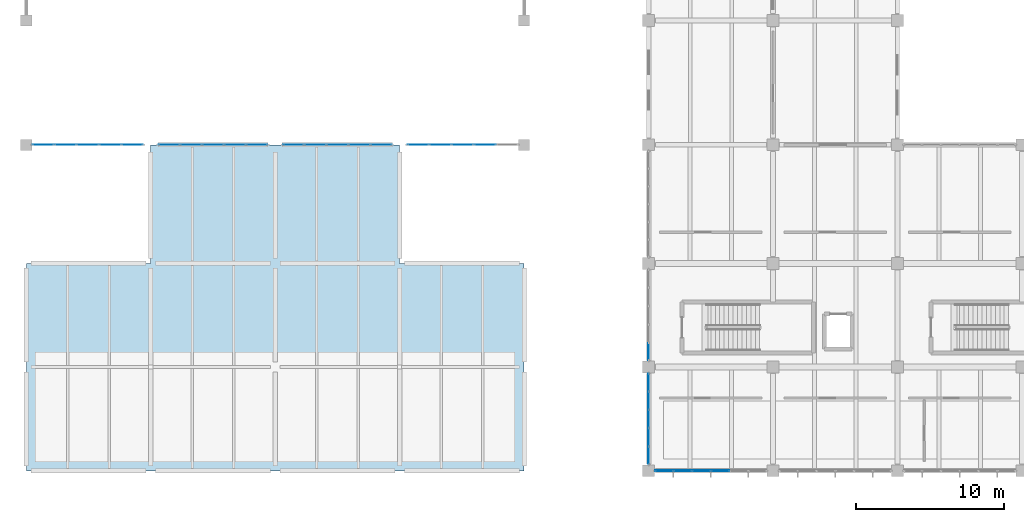
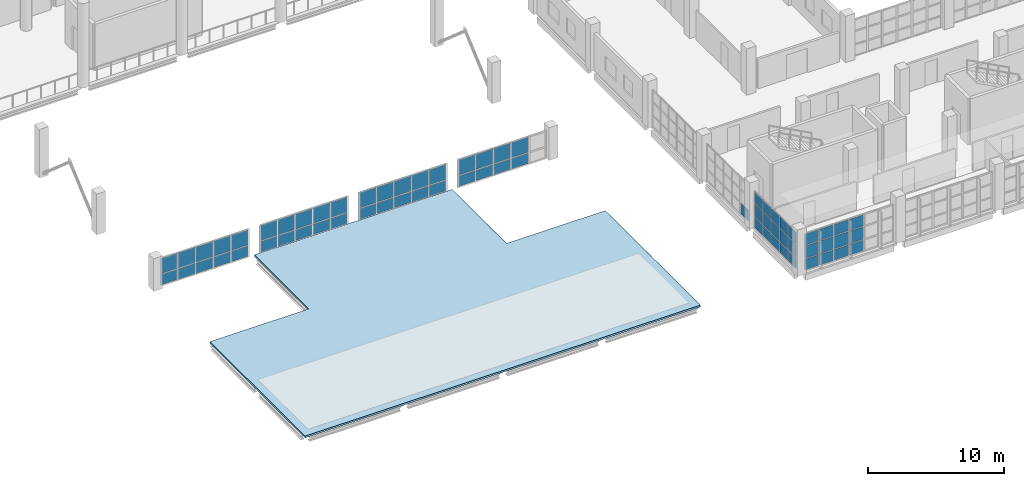
# One storey, part 120 of 177: 66 plates, 1 slab, 7 elements without a shape of their own.
"""IFC4 building model written with IfcOpenShell, lengths in metres."""

from ifc_helpers import new_model, si_unit, direction, frame, origin, origin_2d, place, context, subcontext, project, spatial, polyline, rectangle, outline, extrude, material, layer, layer_set, type_object, element, aggregate, save


model = new_model("IFC4")

# Units and contexts
model_context = context("Model", 3, precision=1e-05, world=origin(), true_north=direction((0.0, 1.0)))
body_context = subcontext(model_context, "Body", "Model", "MODEL_VIEW")
ifc_project = project(units=[si_unit("LENGTHUNIT", "METRE"), si_unit("AREAUNIT", "SQUARE_METRE"), si_unit("VOLUMEUNIT", "CUBIC_METRE"), si_unit("PLANEANGLEUNIT", "RADIAN"), si_unit("MASSUNIT", "GRAM", prefix="KILO"), si_unit("THERMODYNAMICTEMPERATUREUNIT", "KELVIN"), si_unit("POWERUNIT", "WATT")], contexts=[model_context])

# Site, building, storey
site_placement = place(None, origin())
site = spatial("IfcSite", under=ifc_project, at=site_placement, CompositionType="ELEMENT")
building_placement = place(site_placement, origin())
building = spatial("IfcBuilding", under=site, at=building_placement, Name="Mavoryth Pier Ferry Terminal", CompositionType="ELEMENT")
storey_placement = place(building_placement, frame((0.0, 0.0, 5.43994140625)))
storey = spatial("IfcBuildingStorey", under=building, at=storey_placement, Name="L01", CompositionType="ELEMENT", Elevation=5.43994140625)

# Curtain wall, plates
ifc_material_1 = material(Name="Anodised Aluminium and Solar-Control Low-E Glass", Category="aluminium")
ifc_layer_1 = layer(ifc_material_1, 0.179931640625, Name="Anodised Aluminium and Solar-Control Low-E Glass", Category="aluminium")
ifc_layer_set_1 = layer_set([ifc_layer_1], Name="Anodised Aluminium and Solar-Control Low-E Glass - CW-Concourse-Mod1400")
curtain_wall_type_1 = type_object("IfcCurtainWallType", Name="CW-Concourse-Mod1400", PredefinedType="USERDEFINED", material=ifc_layer_set_1)
curtain_wall_1_placement = place(storey_placement, origin())
curtain_wall_1 = element("IfcCurtainWall", 1, at=curtain_wall_1_placement, inside=storey, type_object=curtain_wall_type_1, Name="Curtain Wall CW-0133-038", ObjectType="UNITISED CURTAIN WALL", PredefinedType="USERDEFINED")
ifc_material_2 = material(Name="Solar-Control Low-E Laminated Double Glazing", Category="glass")
ifc_layer_2 = layer(ifc_material_2, 0.02392578125, Name="Solar-Control Low-E Laminated Double Glazing", Category="glass")
ifc_layer_set_2 = layer_set([ifc_layer_2], Name="Solar-Control Low-E Laminated Double Glazing - Panel-LowE-DGU-24")
plate_type_1 = type_object("IfcPlateType", Name="Panel-LowE-DGU-24", PredefinedType="CURTAIN_PANEL", material=ifc_layer_set_2)
plate_1_placement = place(storey_placement, frame((1.146240234375, 22.0, 0.06494140625), z_axis=(0.0, 0.0, 1.0), x_axis=(1.0, 0.0, 0.0)))
plate_1 = element("IfcPlate", 2, at=plate_1_placement, type_object=plate_type_1, Name="CW01 panel 1.1", PredefinedType="CURTAIN_PANEL", context=body_context, shape_type="SweptSolid", body=[
    extrude(rectangle(XDim=1.41259765625, YDim=0.02392578125, at=origin_2d()), origin(), (0.0, 0.0, 1.0), 0.952392578125),
])
plate_2_placement = place(storey_placement, frame((1.146240234375, 22.0, 1.08251953125), z_axis=(0.0, 0.0, 1.0), x_axis=(1.0, 0.0, 0.0)))
plate_2 = element("IfcPlate", 3, at=plate_2_placement, type_object=plate_type_1, Name="CW01 panel 1.2", PredefinedType="CURTAIN_PANEL", context=body_context, shape_type="SweptSolid", body=[
    extrude(rectangle(XDim=1.41259765625, YDim=0.02392578125, at=origin_2d()), origin(), (0.0, 0.0, 1.0), 1.362548828125),
])
plate_3_placement = place(storey_placement, frame((2.639892578125, 22.0, 0.06494140625), z_axis=(0.0, 0.0, 1.0), x_axis=(1.0, 0.0, 0.0)))
plate_3 = element("IfcPlate", 4, at=plate_3_placement, type_object=plate_type_1, Name="CW01 panel 2.1", PredefinedType="CURTAIN_PANEL", context=body_context, shape_type="SweptSolid", body=[
    extrude(rectangle(XDim=1.445068359375, YDim=0.02392578125, at=origin_2d()), origin(), (0.0, 0.0, 1.0), 0.952392578125),
])
plate_4_placement = place(storey_placement, frame((2.639892578125, 22.0, 1.08251953125), z_axis=(0.0, 0.0, 1.0), x_axis=(1.0, 0.0, 0.0)))
plate_4 = element("IfcPlate", 5, at=plate_4_placement, type_object=plate_type_1, Name="CW01 panel 2.2", PredefinedType="CURTAIN_PANEL", context=body_context, shape_type="SweptSolid", body=[
    extrude(rectangle(XDim=1.445068359375, YDim=0.02392578125, at=origin_2d()), origin(), (0.0, 0.0, 1.0), 1.362548828125),
])
plate_5_placement = place(storey_placement, frame((4.14990234375, 22.0, 0.06494140625), z_axis=(0.0, 0.0, 1.0), x_axis=(1.0, 0.0, 0.0)))
plate_5 = element("IfcPlate", 6, at=plate_5_placement, type_object=plate_type_1, Name="CW01 panel 3.1", PredefinedType="CURTAIN_PANEL", context=body_context, shape_type="SweptSolid", body=[
    extrude(rectangle(XDim=1.445068359375, YDim=0.02392578125, at=origin_2d()), origin(), (0.0, 0.0, 1.0), 0.952392578125),
])
plate_6_placement = place(storey_placement, frame((4.14990234375, 22.0, 1.08251953125), z_axis=(0.0, 0.0, 1.0), x_axis=(1.0, 0.0, 0.0)))
plate_6 = element("IfcPlate", 7, at=plate_6_placement, type_object=plate_type_1, Name="CW01 panel 3.2", PredefinedType="CURTAIN_PANEL", context=body_context, shape_type="SweptSolid", body=[
    extrude(rectangle(XDim=1.445068359375, YDim=0.02392578125, at=origin_2d()), origin(), (0.0, 0.0, 1.0), 1.362548828125),
])
plate_7_placement = place(storey_placement, frame((5.659912109375, 22.0, 0.06494140625), z_axis=(0.0, 0.0, 1.0), x_axis=(1.0, 0.0, 0.0)))
plate_7 = element("IfcPlate", 8, at=plate_7_placement, type_object=plate_type_1, Name="CW01 panel 4.1", PredefinedType="CURTAIN_PANEL", context=body_context, shape_type="SweptSolid", body=[
    extrude(rectangle(XDim=1.445068359375, YDim=0.02392578125, at=origin_2d()), origin(), (0.0, 0.0, 1.0), 0.952392578125),
])
plate_8_placement = place(storey_placement, frame((5.659912109375, 22.0, 1.08251953125), z_axis=(0.0, 0.0, 1.0), x_axis=(1.0, 0.0, 0.0)))
plate_8 = element("IfcPlate", 9, at=plate_8_placement, type_object=plate_type_1, Name="CW01 panel 4.2", PredefinedType="CURTAIN_PANEL", context=body_context, shape_type="SweptSolid", body=[
    extrude(rectangle(XDim=1.445068359375, YDim=0.02392578125, at=origin_2d()), origin(), (0.0, 0.0, 1.0), 1.362548828125),
])
plate_9_placement = place(storey_placement, frame((7.15380859375, 22.0, 0.06494140625), z_axis=(0.0, 0.0, 1.0), x_axis=(1.0, 0.0, 0.0)))
plate_9 = element("IfcPlate", 10, at=plate_9_placement, type_object=plate_type_1, Name="CW01 panel 5.1", PredefinedType="CURTAIN_PANEL", context=body_context, shape_type="SweptSolid", body=[
    extrude(rectangle(XDim=1.41259765625, YDim=0.02392578125, at=origin_2d()), origin(), (0.0, 0.0, 1.0), 0.952392578125),
])
plate_10_placement = place(storey_placement, frame((7.15380859375, 22.0, 1.08251953125), z_axis=(0.0, 0.0, 1.0), x_axis=(1.0, 0.0, 0.0)))
plate_10 = element("IfcPlate", 11, at=plate_10_placement, type_object=plate_type_1, Name="CW01 panel 5.2", PredefinedType="CURTAIN_PANEL", context=body_context, shape_type="SweptSolid", body=[
    extrude(rectangle(XDim=1.41259765625, YDim=0.02392578125, at=origin_2d()), origin(), (0.0, 0.0, 1.0), 1.362548828125),
])
aggregate(curtain_wall_1, [plate_1, plate_2, plate_3, plate_4, plate_5, plate_6, plate_7, plate_8, plate_9, plate_10])

curtain_wall_2_placement = place(storey_placement, origin())
curtain_wall_2 = element("IfcCurtainWall", 12, at=curtain_wall_2_placement, inside=storey, type_object=curtain_wall_type_1, Name="Curtain Wall CW-0133-041", ObjectType="UNITISED CURTAIN WALL", PredefinedType="USERDEFINED")
plate_11_placement = place(storey_placement, frame((9.63623046875, 22.0, 0.06494140625), z_axis=(0.0, 0.0, 1.0), x_axis=(1.0, 0.0, 0.0)))
plate_11 = element("IfcPlate", 13, at=plate_11_placement, type_object=plate_type_1, Name="CW01 panel 1.1", PredefinedType="CURTAIN_PANEL", context=body_context, shape_type="SweptSolid", body=[
    extrude(rectangle(XDim=1.392578125, YDim=0.02392578125, at=origin_2d()), origin(), (0.0, 0.0, 1.0), 0.952392578125),
])
plate_12_placement = place(storey_placement, frame((9.63623046875, 22.0, 1.08251953125), z_axis=(0.0, 0.0, 1.0), x_axis=(1.0, 0.0, 0.0)))
plate_12 = element("IfcPlate", 14, at=plate_12_placement, type_object=plate_type_1, Name="CW01 panel 1.2", PredefinedType="CURTAIN_PANEL", context=body_context, shape_type="SweptSolid", body=[
    extrude(rectangle(XDim=1.392578125, YDim=0.02392578125, at=origin_2d()), origin(), (0.0, 0.0, 1.0), 1.362548828125),
])
plate_13_placement = place(storey_placement, frame((11.110107421875, 22.0, 0.06494140625), z_axis=(0.0, 0.0, 1.0), x_axis=(1.0, 0.0, 0.0)))
plate_13 = element("IfcPlate", 15, at=plate_13_placement, type_object=plate_type_1, Name="CW01 panel 2.1", PredefinedType="CURTAIN_PANEL", context=body_context, shape_type="SweptSolid", body=[
    extrude(rectangle(XDim=1.425048828125, YDim=0.02392578125, at=origin_2d()), origin(), (0.0, 0.0, 1.0), 0.952392578125),
])
plate_14_placement = place(storey_placement, frame((11.110107421875, 22.0, 1.08251953125), z_axis=(0.0, 0.0, 1.0), x_axis=(1.0, 0.0, 0.0)))
plate_14 = element("IfcPlate", 16, at=plate_14_placement, type_object=plate_type_1, Name="CW01 panel 2.2", PredefinedType="CURTAIN_PANEL", context=body_context, shape_type="SweptSolid", body=[
    extrude(rectangle(XDim=1.425048828125, YDim=0.02392578125, at=origin_2d()), origin(), (0.0, 0.0, 1.0), 1.362548828125),
])
plate_15_placement = place(storey_placement, frame((12.60009765625, 22.0, 0.06494140625), z_axis=(0.0, 0.0, 1.0), x_axis=(1.0, 0.0, 0.0)))
plate_15 = element("IfcPlate", 17, at=plate_15_placement, type_object=plate_type_1, Name="CW01 panel 3.1", PredefinedType="CURTAIN_PANEL", context=body_context, shape_type="SweptSolid", body=[
    extrude(rectangle(XDim=1.425048828125, YDim=0.02392578125, at=origin_2d()), origin(), (0.0, 0.0, 1.0), 0.952392578125),
])
plate_16_placement = place(storey_placement, frame((12.60009765625, 22.0, 1.08251953125), z_axis=(0.0, 0.0, 1.0), x_axis=(1.0, 0.0, 0.0)))
plate_16 = element("IfcPlate", 18, at=plate_16_placement, type_object=plate_type_1, Name="CW01 panel 3.2", PredefinedType="CURTAIN_PANEL", context=body_context, shape_type="SweptSolid", body=[
    extrude(rectangle(XDim=1.425048828125, YDim=0.02392578125, at=origin_2d()), origin(), (0.0, 0.0, 1.0), 1.362548828125),
])
plate_17_placement = place(storey_placement, frame((14.090087890625, 22.0, 0.06494140625), z_axis=(0.0, 0.0, 1.0), x_axis=(1.0, 0.0, 0.0)))
plate_17 = element("IfcPlate", 19, at=plate_17_placement, type_object=plate_type_1, Name="CW01 panel 4.1", PredefinedType="CURTAIN_PANEL", context=body_context, shape_type="SweptSolid", body=[
    extrude(rectangle(XDim=1.425048828125, YDim=0.02392578125, at=origin_2d()), origin(), (0.0, 0.0, 1.0), 0.952392578125),
])
plate_18_placement = place(storey_placement, frame((14.090087890625, 22.0, 1.08251953125), z_axis=(0.0, 0.0, 1.0), x_axis=(1.0, 0.0, 0.0)))
plate_18 = element("IfcPlate", 20, at=plate_18_placement, type_object=plate_type_1, Name="CW01 panel 4.2", PredefinedType="CURTAIN_PANEL", context=body_context, shape_type="SweptSolid", body=[
    extrude(rectangle(XDim=1.425048828125, YDim=0.02392578125, at=origin_2d()), origin(), (0.0, 0.0, 1.0), 1.362548828125),
])
plate_19_placement = place(storey_placement, frame((15.563720703125, 22.0, 0.06494140625), z_axis=(0.0, 0.0, 1.0), x_axis=(1.0, 0.0, 0.0)))
plate_19 = element("IfcPlate", 21, at=plate_19_placement, type_object=plate_type_1, Name="CW01 panel 5.1", PredefinedType="CURTAIN_PANEL", context=body_context, shape_type="SweptSolid", body=[
    extrude(rectangle(XDim=1.392578125, YDim=0.02392578125, at=origin_2d()), origin(), (0.0, 0.0, 1.0), 0.952392578125),
])
plate_20_placement = place(storey_placement, frame((15.563720703125, 22.0, 1.08251953125), z_axis=(0.0, 0.0, 1.0), x_axis=(1.0, 0.0, 0.0)))
plate_20 = element("IfcPlate", 22, at=plate_20_placement, type_object=plate_type_1, Name="CW01 panel 5.2", PredefinedType="CURTAIN_PANEL", context=body_context, shape_type="SweptSolid", body=[
    extrude(rectangle(XDim=1.392578125, YDim=0.02392578125, at=origin_2d()), origin(), (0.0, 0.0, 1.0), 1.362548828125),
])
aggregate(curtain_wall_2, [plate_11, plate_12, plate_13, plate_14, plate_15, plate_16, plate_17, plate_18, plate_19, plate_20])

curtain_wall_3_placement = place(storey_placement, origin())
curtain_wall_3 = element("IfcCurtainWall", 23, at=curtain_wall_3_placement, inside=storey, type_object=curtain_wall_type_1, Name="Curtain Wall CW-0133-044", ObjectType="UNITISED CURTAIN WALL", PredefinedType="USERDEFINED")
plate_21_placement = place(storey_placement, frame((18.0361328125, 22.0, 0.06494140625), z_axis=(0.0, 0.0, 1.0), x_axis=(1.0, 0.0, 0.0)))
plate_21 = element("IfcPlate", 24, at=plate_21_placement, type_object=plate_type_1, Name="CW01 panel 1.1", PredefinedType="CURTAIN_PANEL", context=body_context, shape_type="SweptSolid", body=[
    extrude(rectangle(XDim=1.392578125, YDim=0.02392578125, at=origin_2d()), origin(), (0.0, 0.0, 1.0), 0.952392578125),
])
plate_22_placement = place(storey_placement, frame((18.0361328125, 22.0, 1.08251953125), z_axis=(0.0, 0.0, 1.0), x_axis=(1.0, 0.0, 0.0)))
plate_22 = element("IfcPlate", 25, at=plate_22_placement, type_object=plate_type_1, Name="CW01 panel 1.2", PredefinedType="CURTAIN_PANEL", context=body_context, shape_type="SweptSolid", body=[
    extrude(rectangle(XDim=1.392578125, YDim=0.02392578125, at=origin_2d()), origin(), (0.0, 0.0, 1.0), 1.362548828125),
])
plate_23_placement = place(storey_placement, frame((19.510009765625, 22.0, 0.06494140625), z_axis=(0.0, 0.0, 1.0), x_axis=(1.0, 0.0, 0.0)))
plate_23 = element("IfcPlate", 26, at=plate_23_placement, type_object=plate_type_1, Name="CW01 panel 2.1", PredefinedType="CURTAIN_PANEL", context=body_context, shape_type="SweptSolid", body=[
    extrude(rectangle(XDim=1.425048828125, YDim=0.02392578125, at=origin_2d()), origin(), (0.0, 0.0, 1.0), 0.952392578125),
])
plate_24_placement = place(storey_placement, frame((19.510009765625, 22.0, 1.08251953125), z_axis=(0.0, 0.0, 1.0), x_axis=(1.0, 0.0, 0.0)))
plate_24 = element("IfcPlate", 27, at=plate_24_placement, type_object=plate_type_1, Name="CW01 panel 2.2", PredefinedType="CURTAIN_PANEL", context=body_context, shape_type="SweptSolid", body=[
    extrude(rectangle(XDim=1.425048828125, YDim=0.02392578125, at=origin_2d()), origin(), (0.0, 0.0, 1.0), 1.362548828125),
])
plate_25_placement = place(storey_placement, frame((21.0, 22.0, 0.06494140625), z_axis=(0.0, 0.0, 1.0), x_axis=(1.0, 0.0, 0.0)))
plate_25 = element("IfcPlate", 28, at=plate_25_placement, type_object=plate_type_1, Name="CW01 panel 3.1", PredefinedType="CURTAIN_PANEL", context=body_context, shape_type="SweptSolid", body=[
    extrude(rectangle(XDim=1.425048828125, YDim=0.02392578125, at=origin_2d()), origin(), (0.0, 0.0, 1.0), 0.952392578125),
])
plate_26_placement = place(storey_placement, frame((21.0, 22.0, 1.08251953125), z_axis=(0.0, 0.0, 1.0), x_axis=(1.0, 0.0, 0.0)))
plate_26 = element("IfcPlate", 29, at=plate_26_placement, type_object=plate_type_1, Name="CW01 panel 3.2", PredefinedType="CURTAIN_PANEL", context=body_context, shape_type="SweptSolid", body=[
    extrude(rectangle(XDim=1.425048828125, YDim=0.02392578125, at=origin_2d()), origin(), (0.0, 0.0, 1.0), 1.362548828125),
])
plate_27_placement = place(storey_placement, frame((22.489990234375, 22.0, 0.06494140625), z_axis=(0.0, 0.0, 1.0), x_axis=(1.0, 0.0, 0.0)))
plate_27 = element("IfcPlate", 30, at=plate_27_placement, type_object=plate_type_1, Name="CW01 panel 4.1", PredefinedType="CURTAIN_PANEL", context=body_context, shape_type="SweptSolid", body=[
    extrude(rectangle(XDim=1.425048828125, YDim=0.02392578125, at=origin_2d()), origin(), (0.0, 0.0, 1.0), 0.952392578125),
])
plate_28_placement = place(storey_placement, frame((22.489990234375, 22.0, 1.08251953125), z_axis=(0.0, 0.0, 1.0), x_axis=(1.0, 0.0, 0.0)))
plate_28 = element("IfcPlate", 31, at=plate_28_placement, type_object=plate_type_1, Name="CW01 panel 4.2", PredefinedType="CURTAIN_PANEL", context=body_context, shape_type="SweptSolid", body=[
    extrude(rectangle(XDim=1.425048828125, YDim=0.02392578125, at=origin_2d()), origin(), (0.0, 0.0, 1.0), 1.362548828125),
])
plate_29_placement = place(storey_placement, frame((23.9638671875, 22.0, 0.06494140625), z_axis=(0.0, 0.0, 1.0), x_axis=(1.0, 0.0, 0.0)))
plate_29 = element("IfcPlate", 32, at=plate_29_placement, type_object=plate_type_1, Name="CW01 panel 5.1", PredefinedType="CURTAIN_PANEL", context=body_context, shape_type="SweptSolid", body=[
    extrude(rectangle(XDim=1.392578125, YDim=0.02392578125, at=origin_2d()), origin(), (0.0, 0.0, 1.0), 0.952392578125),
])
plate_30_placement = place(storey_placement, frame((23.9638671875, 22.0, 1.08251953125), z_axis=(0.0, 0.0, 1.0), x_axis=(1.0, 0.0, 0.0)))
plate_30 = element("IfcPlate", 33, at=plate_30_placement, type_object=plate_type_1, Name="CW01 panel 5.2", PredefinedType="CURTAIN_PANEL", context=body_context, shape_type="SweptSolid", body=[
    extrude(rectangle(XDim=1.392578125, YDim=0.02392578125, at=origin_2d()), origin(), (0.0, 0.0, 1.0), 1.362548828125),
])
aggregate(curtain_wall_3, [plate_21, plate_22, plate_23, plate_24, plate_25, plate_26, plate_27, plate_28, plate_29, plate_30])

curtain_wall_4_placement = place(storey_placement, origin())
curtain_wall_4 = element("IfcCurtainWall", 34, at=curtain_wall_4_placement, inside=storey, type_object=curtain_wall_type_1, Name="Curtain Wall CW-0133-048", ObjectType="UNITISED CURTAIN WALL", PredefinedType="USERDEFINED")
plate_31_placement = place(storey_placement, frame((26.4462890625, 22.0, 0.06494140625), z_axis=(0.0, 0.0, 1.0), x_axis=(1.0, 0.0, 0.0)))
plate_31 = element("IfcPlate", 35, at=plate_31_placement, type_object=plate_type_1, Name="CW01 panel 1.1", PredefinedType="CURTAIN_PANEL", context=body_context, shape_type="SweptSolid", body=[
    extrude(rectangle(XDim=1.41259765625, YDim=0.02392578125, at=origin_2d()), origin(), (0.0, 0.0, 1.0), 0.952392578125),
])
plate_32_placement = place(storey_placement, frame((26.4462890625, 22.0, 1.08251953125), z_axis=(0.0, 0.0, 1.0), x_axis=(1.0, 0.0, 0.0)))
plate_32 = element("IfcPlate", 36, at=plate_32_placement, type_object=plate_type_1, Name="CW01 panel 1.2", PredefinedType="CURTAIN_PANEL", context=body_context, shape_type="SweptSolid", body=[
    extrude(rectangle(XDim=1.41259765625, YDim=0.02392578125, at=origin_2d()), origin(), (0.0, 0.0, 1.0), 1.362548828125),
])
plate_33_placement = place(storey_placement, frame((27.93994140625, 22.0, 0.06494140625), z_axis=(0.0, 0.0, 1.0), x_axis=(1.0, 0.0, 0.0)))
plate_33 = element("IfcPlate", 37, at=plate_33_placement, type_object=plate_type_1, Name="CW01 panel 2.1", PredefinedType="CURTAIN_PANEL", context=body_context, shape_type="SweptSolid", body=[
    extrude(rectangle(XDim=1.445068359375, YDim=0.02392578125, at=origin_2d()), origin(), (0.0, 0.0, 1.0), 0.952392578125),
])
plate_34_placement = place(storey_placement, frame((27.93994140625, 22.0, 1.08251953125), z_axis=(0.0, 0.0, 1.0), x_axis=(1.0, 0.0, 0.0)))
plate_34 = element("IfcPlate", 38, at=plate_34_placement, type_object=plate_type_1, Name="CW01 panel 2.2", PredefinedType="CURTAIN_PANEL", context=body_context, shape_type="SweptSolid", body=[
    extrude(rectangle(XDim=1.445068359375, YDim=0.02392578125, at=origin_2d()), origin(), (0.0, 0.0, 1.0), 1.362548828125),
])
plate_35_placement = place(storey_placement, frame((29.449951171875, 22.0, 0.06494140625), z_axis=(0.0, 0.0, 1.0), x_axis=(1.0, 0.0, 0.0)))
plate_35 = element("IfcPlate", 39, at=plate_35_placement, type_object=plate_type_1, Name="CW01 panel 3.1", PredefinedType="CURTAIN_PANEL", context=body_context, shape_type="SweptSolid", body=[
    extrude(rectangle(XDim=1.445068359375, YDim=0.02392578125, at=origin_2d()), origin(), (0.0, 0.0, 1.0), 0.952392578125),
])
plate_36_placement = place(storey_placement, frame((29.449951171875, 22.0, 1.08251953125), z_axis=(0.0, 0.0, 1.0), x_axis=(1.0, 0.0, 0.0)))
plate_36 = element("IfcPlate", 40, at=plate_36_placement, type_object=plate_type_1, Name="CW01 panel 3.2", PredefinedType="CURTAIN_PANEL", context=body_context, shape_type="SweptSolid", body=[
    extrude(rectangle(XDim=1.445068359375, YDim=0.02392578125, at=origin_2d()), origin(), (0.0, 0.0, 1.0), 1.362548828125),
])
plate_37_placement = place(storey_placement, frame((30.9599609375, 22.0, 0.06494140625), z_axis=(0.0, 0.0, 1.0), x_axis=(1.0, 0.0, 0.0)))
plate_37 = element("IfcPlate", 41, at=plate_37_placement, type_object=plate_type_1, Name="CW01 panel 4.1", PredefinedType="CURTAIN_PANEL", context=body_context, shape_type="SweptSolid", body=[
    extrude(rectangle(XDim=1.445068359375, YDim=0.02392578125, at=origin_2d()), origin(), (0.0, 0.0, 1.0), 0.952392578125),
])
plate_38_placement = place(storey_placement, frame((30.9599609375, 22.0, 1.08251953125), z_axis=(0.0, 0.0, 1.0), x_axis=(1.0, 0.0, 0.0)))
plate_38 = element("IfcPlate", 42, at=plate_38_placement, type_object=plate_type_1, Name="CW01 panel 4.2", PredefinedType="CURTAIN_PANEL", context=body_context, shape_type="SweptSolid", body=[
    extrude(rectangle(XDim=1.445068359375, YDim=0.02392578125, at=origin_2d()), origin(), (0.0, 0.0, 1.0), 1.362548828125),
])
aggregate(curtain_wall_4, [plate_31, plate_32, plate_33, plate_34, plate_35, plate_36, plate_37, plate_38])

ifc_layer_3 = layer(ifc_material_1, 0.239990234375, Name="Anodised Aluminium and Solar-Control Low-E Glass", Category="aluminium")
ifc_layer_set_3 = layer_set([ifc_layer_3], Name="Anodised Aluminium and Solar-Control Low-E Glass - CW-Operations-Mod1200")
curtain_wall_type_2 = type_object("IfcCurtainWallType", Name="CW-Operations-Mod1200", PredefinedType="USERDEFINED", material=ifc_layer_set_3)
curtain_wall_5_placement = place(storey_placement, origin())
curtain_wall_5 = element("IfcCurtainWall", 43, at=curtain_wall_5_placement, inside=storey, type_object=curtain_wall_type_2, Name="Curtain Wall CW-0122-120", ObjectType="UNITISED CURTAIN WALL", PredefinedType="USERDEFINED")
plate_39_placement = place(storey_placement, frame((42.0, 5.965087890625, 0.06005859375), z_axis=(0.0, 0.0, 1.0), x_axis=(0.0, -1.0, 0.0)))
plate_39 = element("IfcPlate", 44, at=plate_39_placement, type_object=plate_type_1, Name="CW06 panel 1.1", PredefinedType="CURTAIN_PANEL", context=body_context, shape_type="SweptSolid", body=[
    extrude(rectangle(XDim=1.14990234375, YDim=0.02392578125, at=origin_2d()), origin(), (0.0, 0.0, 1.0), 0.9599609375),
])
plate_40_placement = place(storey_placement, frame((42.0, 5.965087890625, 1.080078125), z_axis=(0.0, 0.0, 1.0), x_axis=(0.0, -1.0, 0.0)))
plate_40 = element("IfcPlate", 45, at=plate_40_placement, type_object=plate_type_1, Name="CW06 panel 1.2", PredefinedType="CURTAIN_PANEL", context=body_context, shape_type="SweptSolid", body=[
    extrude(rectangle(XDim=1.14990234375, YDim=0.02392578125, at=origin_2d()), origin(), (0.0, 0.0, 1.0), 1.139892578125),
])
plate_41_placement = place(storey_placement, frame((42.0, 5.965087890625, 2.280029296875), z_axis=(0.0, 0.0, 1.0), x_axis=(0.0, -1.0, 0.0)))
plate_41 = element("IfcPlate", 46, at=plate_41_placement, type_object=plate_type_1, Name="CW06 panel 1.3", PredefinedType="CURTAIN_PANEL", context=body_context, shape_type="SweptSolid", body=[
    extrude(rectangle(XDim=1.14990234375, YDim=0.02392578125, at=origin_2d()), origin(), (0.0, 0.0, 1.0), 1.0048828125),
])
plate_42_placement = place(storey_placement, frame((42.0, 4.739990234375, 0.06005859375), z_axis=(0.0, 0.0, 1.0), x_axis=(0.0, -1.0, 0.0)))
plate_42 = element("IfcPlate", 47, at=plate_42_placement, type_object=plate_type_1, Name="CW06 panel 2.1", PredefinedType="CURTAIN_PANEL", context=body_context, shape_type="SweptSolid", body=[
    extrude(rectangle(XDim=1.179931640625, YDim=0.02392578125, at=origin_2d()), origin(), (0.0, 0.0, 1.0), 0.9599609375),
])
plate_43_placement = place(storey_placement, frame((42.0, 4.739990234375, 1.080078125), z_axis=(0.0, 0.0, 1.0), x_axis=(0.0, -1.0, 0.0)))
plate_43 = element("IfcPlate", 48, at=plate_43_placement, type_object=plate_type_1, Name="CW06 panel 2.2", PredefinedType="CURTAIN_PANEL", context=body_context, shape_type="SweptSolid", body=[
    extrude(rectangle(XDim=1.179931640625, YDim=0.02392578125, at=origin_2d()), origin(), (0.0, 0.0, 1.0), 1.139892578125),
])
plate_44_placement = place(storey_placement, frame((42.0, 4.739990234375, 2.280029296875), z_axis=(0.0, 0.0, 1.0), x_axis=(0.0, -1.0, 0.0)))
plate_44 = element("IfcPlate", 49, at=plate_44_placement, type_object=plate_type_1, Name="CW06 panel 2.3", PredefinedType="CURTAIN_PANEL", context=body_context, shape_type="SweptSolid", body=[
    extrude(rectangle(XDim=1.179931640625, YDim=0.02392578125, at=origin_2d()), origin(), (0.0, 0.0, 1.0), 1.0048828125),
])
plate_45_placement = place(storey_placement, frame((42.0, 3.5, 0.06005859375), z_axis=(0.0, 0.0, 1.0), x_axis=(0.0, -1.0, 0.0)))
plate_45 = element("IfcPlate", 50, at=plate_45_placement, type_object=plate_type_1, Name="CW06 panel 3.1", PredefinedType="CURTAIN_PANEL", context=body_context, shape_type="SweptSolid", body=[
    extrude(rectangle(XDim=1.179931640625, YDim=0.02392578125, at=origin_2d()), origin(), (0.0, 0.0, 1.0), 0.9599609375),
])
plate_46_placement = place(storey_placement, frame((42.0, 3.5, 1.080078125), z_axis=(0.0, 0.0, 1.0), x_axis=(0.0, -1.0, 0.0)))
plate_46 = element("IfcPlate", 51, at=plate_46_placement, type_object=plate_type_1, Name="CW06 panel 3.2", PredefinedType="CURTAIN_PANEL", context=body_context, shape_type="SweptSolid", body=[
    extrude(rectangle(XDim=1.179931640625, YDim=0.02392578125, at=origin_2d()), origin(), (0.0, 0.0, 1.0), 1.139892578125),
])
plate_47_placement = place(storey_placement, frame((42.0, 3.5, 2.280029296875), z_axis=(0.0, 0.0, 1.0), x_axis=(0.0, -1.0, 0.0)))
plate_47 = element("IfcPlate", 52, at=plate_47_placement, type_object=plate_type_1, Name="CW06 panel 3.3", PredefinedType="CURTAIN_PANEL", context=body_context, shape_type="SweptSolid", body=[
    extrude(rectangle(XDim=1.179931640625, YDim=0.02392578125, at=origin_2d()), origin(), (0.0, 0.0, 1.0), 1.0048828125),
])
plate_48_placement = place(storey_placement, frame((42.0, 2.260009765625, 0.06005859375), z_axis=(0.0, 0.0, 1.0), x_axis=(0.0, -1.0, 0.0)))
plate_48 = element("IfcPlate", 53, at=plate_48_placement, type_object=plate_type_1, Name="CW06 panel 4.1", PredefinedType="CURTAIN_PANEL", context=body_context, shape_type="SweptSolid", body=[
    extrude(rectangle(XDim=1.179931640625, YDim=0.02392578125, at=origin_2d()), origin(), (0.0, 0.0, 1.0), 0.9599609375),
])
plate_49_placement = place(storey_placement, frame((42.0, 2.260009765625, 1.080078125), z_axis=(0.0, 0.0, 1.0), x_axis=(0.0, -1.0, 0.0)))
plate_49 = element("IfcPlate", 54, at=plate_49_placement, type_object=plate_type_1, Name="CW06 panel 4.2", PredefinedType="CURTAIN_PANEL", context=body_context, shape_type="SweptSolid", body=[
    extrude(rectangle(XDim=1.179931640625, YDim=0.02392578125, at=origin_2d()), origin(), (0.0, 0.0, 1.0), 1.139892578125),
])
plate_50_placement = place(storey_placement, frame((42.0, 2.260009765625, 2.280029296875), z_axis=(0.0, 0.0, 1.0), x_axis=(0.0, -1.0, 0.0)))
plate_50 = element("IfcPlate", 55, at=plate_50_placement, type_object=plate_type_1, Name="CW06 panel 4.3", PredefinedType="CURTAIN_PANEL", context=body_context, shape_type="SweptSolid", body=[
    extrude(rectangle(XDim=1.179931640625, YDim=0.02392578125, at=origin_2d()), origin(), (0.0, 0.0, 1.0), 1.0048828125),
])
plate_51_placement = place(storey_placement, frame((42.0, 1.034912109375, 0.06005859375), z_axis=(0.0, 0.0, 1.0), x_axis=(0.0, -1.0, 0.0)))
plate_51 = element("IfcPlate", 56, at=plate_51_placement, type_object=plate_type_1, Name="CW06 panel 5.1", PredefinedType="CURTAIN_PANEL", context=body_context, shape_type="SweptSolid", body=[
    extrude(rectangle(XDim=1.14990234375, YDim=0.02392578125, at=origin_2d()), origin(), (0.0, 0.0, 1.0), 0.9599609375),
])
plate_52_placement = place(storey_placement, frame((42.0, 1.034912109375, 1.080078125), z_axis=(0.0, 0.0, 1.0), x_axis=(0.0, -1.0, 0.0)))
plate_52 = element("IfcPlate", 57, at=plate_52_placement, type_object=plate_type_1, Name="CW06 panel 5.2", PredefinedType="CURTAIN_PANEL", context=body_context, shape_type="SweptSolid", body=[
    extrude(rectangle(XDim=1.14990234375, YDim=0.02392578125, at=origin_2d()), origin(), (0.0, 0.0, 1.0), 1.139892578125),
])
plate_53_placement = place(storey_placement, frame((42.0, 1.034912109375, 2.280029296875), z_axis=(0.0, 0.0, 1.0), x_axis=(0.0, -1.0, 0.0)))
plate_53 = element("IfcPlate", 58, at=plate_53_placement, type_object=plate_type_1, Name="CW06 panel 5.3", PredefinedType="CURTAIN_PANEL", context=body_context, shape_type="SweptSolid", body=[
    extrude(rectangle(XDim=1.14990234375, YDim=0.02392578125, at=origin_2d()), origin(), (0.0, 0.0, 1.0), 1.0048828125),
])
aggregate(curtain_wall_5, [plate_39, plate_40, plate_41, plate_42, plate_43, plate_44, plate_45, plate_46, plate_47, plate_48, plate_49, plate_50, plate_51, plate_52, plate_53])

# Curtain wall, plate
curtain_wall_6_placement = place(storey_placement, origin())
curtain_wall_6 = element("IfcCurtainWall", 59, at=curtain_wall_6_placement, inside=storey, type_object=curtain_wall_type_2, Name="Curtain Wall CW-0122-121", ObjectType="UNITISED CURTAIN WALL", PredefinedType="USERDEFINED")
plate_54_placement = place(storey_placement, frame((42.0, 8.034912109375, 0.06005859375), z_axis=(0.0, 0.0, 1.0), x_axis=(0.0, -1.0, 0.0)))
plate_54 = element("IfcPlate", 60, at=plate_54_placement, type_object=plate_type_1, Name="CW06 panel 5.1", PredefinedType="CURTAIN_PANEL", context=body_context, shape_type="SweptSolid", body=[
    extrude(rectangle(XDim=1.14990234375, YDim=0.02392578125, at=origin_2d()), origin(), (0.0, 0.0, 1.0), 0.9599609375),
])
aggregate(curtain_wall_6, [plate_54])

# Curtain wall, plates
curtain_wall_7_placement = place(storey_placement, origin())
curtain_wall_7 = element("IfcCurtainWall", 61, at=curtain_wall_7_placement, inside=storey, type_object=curtain_wall_type_2, Name="Curtain Wall CW-0122-110", ObjectType="UNITISED CURTAIN WALL", PredefinedType="USERDEFINED")
ifc_material_3 = material(Name="Insulated Bronze-Anodised Aluminium Spandrel Panel", Category="aluminium")
ifc_layer_4 = layer(ifc_material_3, 0.0439453125, Name="Insulated Bronze-Anodised Aluminium Spandrel Panel", Category="aluminium")
ifc_layer_set_4 = layer_set([ifc_layer_4], Name="Insulated Bronze-Anodised Aluminium Spandrel Panel - Panel-Spandrel-Alum-44")
plate_type_2 = type_object("IfcPlateType", Name="Panel-Spandrel-Alum-44", PredefinedType="CURTAIN_PANEL", material=ifc_layer_set_4)
plate_55_placement = place(storey_placement, frame((43.04833984375, 0.0, 0.06005859375), z_axis=(0.0, 0.0, 1.0), x_axis=(1.0, 0.0, 0.0)))
plate_55 = element("IfcPlate", 62, at=plate_55_placement, type_object=plate_type_2, Name="CW06 panel 1.1", PredefinedType="CURTAIN_PANEL", context=body_context, shape_type="SweptSolid", body=[
    extrude(rectangle(XDim=1.1767578125, YDim=0.0439453125, at=origin_2d()), origin(), (0.0, 0.0, 1.0), 0.9599609375),
])
plate_56_placement = place(storey_placement, frame((43.04833984375, 0.0, 1.080078125), z_axis=(0.0, 0.0, 1.0), x_axis=(1.0, 0.0, 0.0)))
plate_56 = element("IfcPlate", 63, at=plate_56_placement, type_object=plate_type_2, Name="CW06 panel 1.2", PredefinedType="CURTAIN_PANEL", context=body_context, shape_type="SweptSolid", body=[
    extrude(rectangle(XDim=1.1767578125, YDim=0.0439453125, at=origin_2d()), origin(), (0.0, 0.0, 1.0), 1.139892578125),
])
plate_57_placement = place(storey_placement, frame((43.04833984375, 0.0, 2.280029296875), z_axis=(0.0, 0.0, 1.0), x_axis=(1.0, 0.0, 0.0)))
plate_57 = element("IfcPlate", 64, at=plate_57_placement, type_object=plate_type_2, Name="CW06 panel 1.3", PredefinedType="CURTAIN_PANEL", context=body_context, shape_type="SweptSolid", body=[
    extrude(rectangle(XDim=1.1767578125, YDim=0.0439453125, at=origin_2d()), origin(), (0.0, 0.0, 1.0), 1.0048828125),
])
plate_58_placement = place(storey_placement, frame((44.300048828125, 0.0, 0.06005859375), z_axis=(0.0, 0.0, 1.0), x_axis=(1.0, 0.0, 0.0)))
plate_58 = element("IfcPlate", 65, at=plate_58_placement, type_object=plate_type_2, Name="CW06 panel 2.1", PredefinedType="CURTAIN_PANEL", context=body_context, shape_type="SweptSolid", body=[
    extrude(rectangle(XDim=1.206787109375, YDim=0.0439453125, at=origin_2d()), origin(), (0.0, 0.0, 1.0), 0.9599609375),
])
plate_59_placement = place(storey_placement, frame((44.300048828125, 0.0, 1.080078125), z_axis=(0.0, 0.0, 1.0), x_axis=(1.0, 0.0, 0.0)))
plate_59 = element("IfcPlate", 66, at=plate_59_placement, type_object=plate_type_2, Name="CW06 panel 2.2", PredefinedType="CURTAIN_PANEL", context=body_context, shape_type="SweptSolid", body=[
    extrude(rectangle(XDim=1.206787109375, YDim=0.0439453125, at=origin_2d()), origin(), (0.0, 0.0, 1.0), 1.139892578125),
])
plate_60_placement = place(storey_placement, frame((44.300048828125, 0.0, 2.280029296875), z_axis=(0.0, 0.0, 1.0), x_axis=(1.0, 0.0, 0.0)))
plate_60 = element("IfcPlate", 67, at=plate_60_placement, type_object=plate_type_2, Name="CW06 panel 2.3", PredefinedType="CURTAIN_PANEL", context=body_context, shape_type="SweptSolid", body=[
    extrude(rectangle(XDim=1.206787109375, YDim=0.0439453125, at=origin_2d()), origin(), (0.0, 0.0, 1.0), 1.0048828125),
])
plate_61_placement = place(storey_placement, frame((45.566650390625, 0.0, 0.06005859375), z_axis=(0.0, 0.0, 1.0), x_axis=(1.0, 0.0, 0.0)))
plate_61 = element("IfcPlate", 68, at=plate_61_placement, type_object=plate_type_2, Name="CW06 panel 3.1", PredefinedType="CURTAIN_PANEL", context=body_context, shape_type="SweptSolid", body=[
    extrude(rectangle(XDim=1.206787109375, YDim=0.0439453125, at=origin_2d()), origin(), (0.0, 0.0, 1.0), 0.9599609375),
])
plate_62_placement = place(storey_placement, frame((45.566650390625, 0.0, 1.080078125), z_axis=(0.0, 0.0, 1.0), x_axis=(1.0, 0.0, 0.0)))
plate_62 = element("IfcPlate", 69, at=plate_62_placement, type_object=plate_type_2, Name="CW06 panel 3.2", PredefinedType="CURTAIN_PANEL", context=body_context, shape_type="SweptSolid", body=[
    extrude(rectangle(XDim=1.206787109375, YDim=0.0439453125, at=origin_2d()), origin(), (0.0, 0.0, 1.0), 1.139892578125),
])
plate_63_placement = place(storey_placement, frame((45.566650390625, 0.0, 2.280029296875), z_axis=(0.0, 0.0, 1.0), x_axis=(1.0, 0.0, 0.0)))
plate_63 = element("IfcPlate", 70, at=plate_63_placement, type_object=plate_type_2, Name="CW06 panel 3.3", PredefinedType="CURTAIN_PANEL", context=body_context, shape_type="SweptSolid", body=[
    extrude(rectangle(XDim=1.206787109375, YDim=0.0439453125, at=origin_2d()), origin(), (0.0, 0.0, 1.0), 1.0048828125),
])
plate_64_placement = place(storey_placement, frame((46.833251953125, 0.0, 0.06005859375), z_axis=(0.0, 0.0, 1.0), x_axis=(1.0, 0.0, 0.0)))
plate_64 = element("IfcPlate", 71, at=plate_64_placement, type_object=plate_type_2, Name="CW06 panel 4.1", PredefinedType="CURTAIN_PANEL", context=body_context, shape_type="SweptSolid", body=[
    extrude(rectangle(XDim=1.206787109375, YDim=0.0439453125, at=origin_2d()), origin(), (0.0, 0.0, 1.0), 0.9599609375),
])
plate_65_placement = place(storey_placement, frame((46.833251953125, 0.0, 1.080078125), z_axis=(0.0, 0.0, 1.0), x_axis=(1.0, 0.0, 0.0)))
plate_65 = element("IfcPlate", 72, at=plate_65_placement, type_object=plate_type_2, Name="CW06 panel 4.2", PredefinedType="CURTAIN_PANEL", context=body_context, shape_type="SweptSolid", body=[
    extrude(rectangle(XDim=1.206787109375, YDim=0.0439453125, at=origin_2d()), origin(), (0.0, 0.0, 1.0), 1.139892578125),
])
plate_66_placement = place(storey_placement, frame((46.833251953125, 0.0, 2.280029296875), z_axis=(0.0, 0.0, 1.0), x_axis=(1.0, 0.0, 0.0)))
plate_66 = element("IfcPlate", 73, at=plate_66_placement, type_object=plate_type_2, Name="CW06 panel 4.3", PredefinedType="CURTAIN_PANEL", context=body_context, shape_type="SweptSolid", body=[
    extrude(rectangle(XDim=1.206787109375, YDim=0.0439453125, at=origin_2d()), origin(), (0.0, 0.0, 1.0), 1.0048828125),
])
aggregate(curtain_wall_7, [plate_55, plate_56, plate_57, plate_58, plate_59, plate_60, plate_61, plate_62, plate_63, plate_64, plate_65, plate_66])

# Slab
ifc_material_4 = material(Name="Concrete C35/45", Category="concrete")
ifc_layer_5 = layer(ifc_material_4, 0.159912109375, Name="Concrete C35/45", Category="concrete")
ifc_layer_set_5 = layer_set([ifc_layer_5], Name="Concrete C35/45 - Slab-Roof-Canopy-160")
slab_type = type_object("IfcSlabType", Name="Slab-Roof-Canopy-160", PredefinedType="ROOF", material=ifc_layer_set_5)
slab_placement = place(storey_placement, frame((0.0, 0.0, -0.159912109375)))
element("IfcSlab", 74, at=slab_placement, inside=storey, type_object=slab_type, Name="Slab SLB-V0-RF", PredefinedType="ROOF", context=body_context, shape_type="SweptSolid", body=[
    extrude(outline(polyline([(0.0, 0.0), (33.60009765625, 0.0), (33.60009765625, 14.0), (25.199951171875, 14.0), (25.199951171875, 22.0), (8.39990234375, 22.0), (8.39990234375, 14.0), (0.0, 14.0), (0.0, 0.0)])), origin(), (0.0, 0.0, 1.0), 0.159912109375),
])

save(model, "model.ifc")
